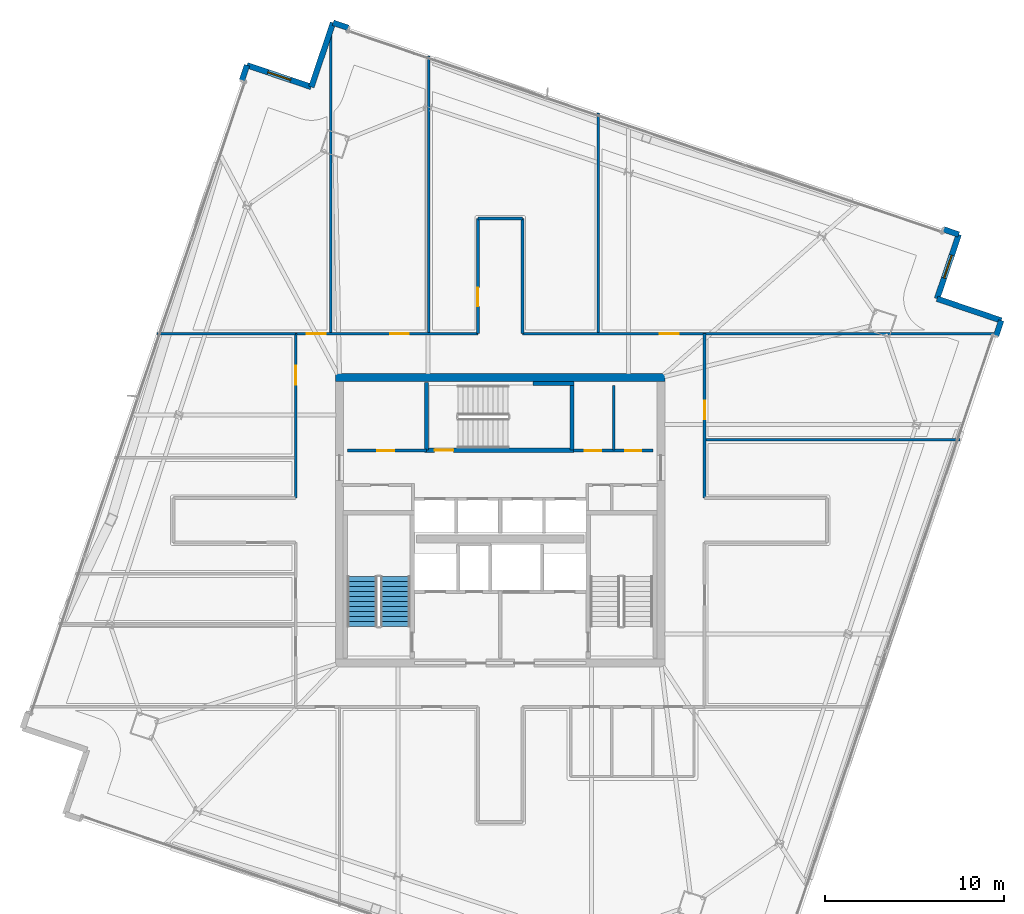
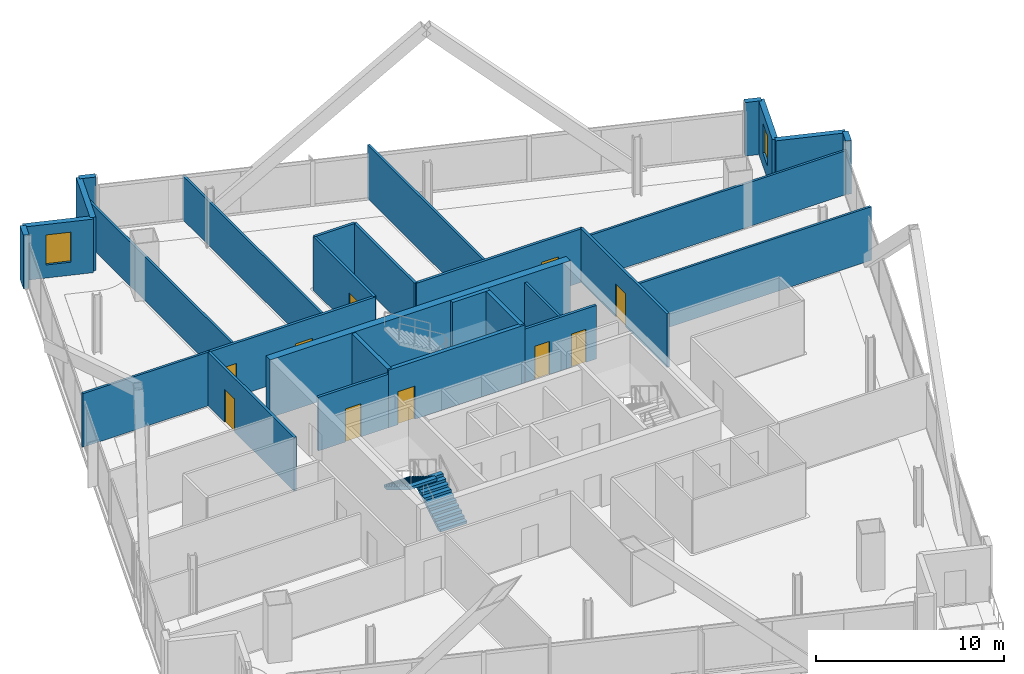
# One storey, part 23 of 29: 29 walls, 10 doors, 2 stair flights, 2 windows, 12 openings, 1 element without a shape of its own.
"""IFC4 building model written with IfcOpenShell, lengths in metres."""

import ifcopenshell
import ifcopenshell.guid

model = None  # the IFC model being written
_history = None  # IfcOwnerHistory: only IFC2X3 demands one
_inside = {}  # id of a spatial element -> (the spatial element, [elements in it])
_under = {}  # id of a project, library or spatial element -> (it, [spatial elements below it])
_declared = {}  # id of a project -> (the project, [libraries it declares])
_typed = {}  # id of a type object -> (the type object, [elements of that type])
_made_of = {}  # id of a material, layer set ... -> (it, [elements and type objects made of it])


def new_model(schema):
    """Start an empty IFC model of exactly this schema.

    Asked for "IFC4X3", IfcOpenShell would pick the latest addendum, in which some entities
    have other attributes; the version numbers below select the first issue.
    IFC2X3 requires an IfcOwnerHistory on every rooted entity: one is made here for all.
    """
    global model, _history
    if schema == "IFC4X3":
        model = ifcopenshell.file(schema_version=(4, 3, 0, 0))
    else:
        model = ifcopenshell.file(schema=schema)
    _inside.clear()
    _under.clear()
    _declared.clear()
    _typed.clear()
    _made_of.clear()
    _history = None
    if model.schema == "IFC2X3":
        org = make("IfcOrganization", Name="unknown")
        user = make(
            "IfcPersonAndOrganization",
            ThePerson=make("IfcPerson", FamilyName="unknown"),
            TheOrganization=org,
        )
        app = make(
            "IfcApplication",
            ApplicationDeveloper=org,
            Version="unknown",
            ApplicationFullName="unknown",
            ApplicationIdentifier="unknown",
        )
        _history = make(
            "IfcOwnerHistory",
            OwningUser=user,
            OwningApplication=app,
            ChangeAction="ADDED",
            CreationDate=0,
        )
    return model


def make(cls, **values):
    """One entity of the class cls with the attributes given. An attribute that is None is left unset."""
    return model.create_entity(
        cls, **{name: value for name, value in values.items() if value is not None}
    )


def rooted(cls, **values):
    """An entity with a GlobalId (a new one), such as an element, a storey or a relation."""
    return make(cls, GlobalId=ifcopenshell.guid.new(), OwnerHistory=_history, **values)


def si_unit(unit_type, name, prefix=None):
    """IfcSIUnit, for example si_unit("LENGTHUNIT", "METRE", prefix="MILLI")."""
    return make("IfcSIUnit", UnitType=unit_type, Prefix=prefix, Name=name)


def assignment(units):
    """IfcUnitAssignment: the units of a project."""
    return None if units is None else make("IfcUnitAssignment", Units=units)


def point(xyz):
    """IfcCartesianPoint."""
    return None if xyz is None else make("IfcCartesianPoint", Coordinates=xyz)


def direction(xyz):
    """IfcDirection."""
    return None if xyz is None else make("IfcDirection", DirectionRatios=xyz)


def frame(location, z_axis=None, x_axis=None):
    """IfcAxis2Placement3D, a coordinate frame: its origin and axes. An axis left out is left unset."""
    return make(
        "IfcAxis2Placement3D",
        Location=point(location),
        Axis=direction(z_axis),
        RefDirection=direction(x_axis),
    )


def frame_2d(location, x_axis=None):
    """IfcAxis2Placement2D, a coordinate frame in the plane: its origin and x axis."""
    return make(
        "IfcAxis2Placement2D", Location=point(location), RefDirection=direction(x_axis)
    )


def origin():
    """The frame at (0, 0, 0) with its axes left unset."""
    return frame((0.0, 0.0, 0.0))


def place(relative_to, where):
    """IfcLocalPlacement: puts the frame where relative to a parent placement (None: the world)."""
    return make(
        "IfcLocalPlacement", PlacementRelTo=relative_to, RelativePlacement=where
    )


def context(
    kind, dimensions, precision=None, world=None, true_north=None, identifier=None
):
    """IfcGeometricRepresentationContext, for example the 3D "Model" context."""
    return make(
        "IfcGeometricRepresentationContext",
        ContextIdentifier=identifier,
        ContextType=kind,
        CoordinateSpaceDimension=dimensions,
        Precision=precision,
        WorldCoordinateSystem=world,
        TrueNorth=true_north,
    )


def subcontext(parent, identifier, kind, view, scale=None):
    """IfcGeometricRepresentationSubContext, for example "Body" below "Model"."""
    return make(
        "IfcGeometricRepresentationSubContext",
        ContextIdentifier=identifier,
        ContextType=kind,
        ParentContext=parent,
        TargetScale=scale,
        TargetView=view,
    )


def project(units=None, contexts=None):
    """IfcProject with its units and contexts."""
    return rooted(
        "IfcProject",
        Name="project",
        RepresentationContexts=contexts,
        UnitsInContext=assignment(units),
    )


def spatial(cls, under=None, at=None, **own):
    """A site, building, storey or space (cls), placed at a placement, below another one or the project."""
    s = rooted(cls, ObjectPlacement=at, **own)
    if under is not None:
        _under.setdefault(under.id(), (under, []))[1].append(s)
    return s


def polyline(points):
    """IfcPolyline through the points."""
    return make("IfcPolyline", Points=[point(p) for p in points])


def profile(cls, at=None, kind="AREA", **sizes):
    """A parametric profile (cls). Its sizes go by their IFC names, for example OverallWidth=200.0."""
    return make(cls, ProfileType=kind, Position=at, **sizes)


def rectangle(**sizes):
    """IfcRectangleProfileDef."""
    return profile("IfcRectangleProfileDef", **sizes)


def outline(outer, holes=None, kind="AREA"):
    """IfcArbitraryClosedProfileDef: a profile drawn as a closed curve; with holes, ...WithVoids."""
    if holes is None:
        return make("IfcArbitraryClosedProfileDef", ProfileType=kind, OuterCurve=outer)
    return make(
        "IfcArbitraryProfileDefWithVoids",
        ProfileType=kind,
        OuterCurve=outer,
        InnerCurves=holes,
    )


def extrude(swept, where, along, depth):
    """IfcExtrudedAreaSolid: the profile swept, set in the frame where, extruded along a direction by depth."""
    return make(
        "IfcExtrudedAreaSolid",
        SweptArea=swept,
        Position=where,
        ExtrudedDirection=direction(along),
        Depth=depth,
    )


def shape(context_of_items, identifier, shape_type, items):
    """IfcShapeRepresentation: the items that make up one representation, for example the "Body"."""
    return make(
        "IfcShapeRepresentation",
        ContextOfItems=context_of_items,
        RepresentationIdentifier=identifier,
        RepresentationType=shape_type,
        Items=items,
    )


def material(Name=None, Category=None):
    """IfcMaterial."""
    return make("IfcMaterial", Name=Name, Category=Category)


def layer(
    of_material, thickness, ventilated=None, Name=None, Category=None, Priority=None
):
    """IfcMaterialLayer: one layer of a wall or slab, of a material (None: an air gap)."""
    return make(
        "IfcMaterialLayer",
        Material=of_material,
        LayerThickness=thickness,
        IsVentilated=ventilated,
        Name=Name,
        Category=Category,
        Priority=Priority,
    )


def layer_set(layers, Name=None):
    """IfcMaterialLayerSet."""
    return make("IfcMaterialLayerSet", MaterialLayers=layers, LayerSetName=Name)


def made_of(thing, what):
    """Note that an element or type object is made of a material, layer set ...; save() writes the relation."""
    if what is not None:
        _made_of.setdefault(what.id(), (what, []))[1].append(thing)
    return thing


def type_object(cls, material=None, **own):
    """A type object (cls), such as IfcWallType, which elements share."""
    return made_of(rooted(cls, **own), material)


def element(
    cls,
    number,
    at=None,
    inside=None,
    cuts=None,
    type_object=None,
    material=None,
    context=None,
    identifier="Body",
    shape_type=None,
    held_by="IfcProductDefinitionShape",
    body=None,
    shapes=None,
    **own,
):
    """One element of the class cls, such as IfcWall. Its Tag is "e" and its number.

    at: its placement. inside: the storey or other place that contains it. cuts: it is an
    opening in that element (IfcRelVoidsElement). A single representation is given by context,
    identifier, shape_type and body (its items); several are given by shapes. held_by: the class
    of the entity that holds the representations. save() writes the other relations.
    """
    e = rooted(cls, Tag="e%d" % number, ObjectPlacement=at, **own)
    if body is not None:
        shapes = [shape(context, identifier, shape_type, body)]
    if shapes is not None:
        e.Representation = make(held_by, Representations=shapes)
    if inside is not None:
        _inside.setdefault(inside.id(), (inside, []))[1].append(e)
    if cuts is not None:
        rooted(
            "IfcRelVoidsElement", RelatingBuildingElement=cuts, RelatedOpeningElement=e
        )
    if type_object is not None:
        _typed.setdefault(type_object.id(), (type_object, []))[1].append(e)
    return made_of(e, material)


def fill(opening, filler):
    """IfcRelFillsElement: the door or window that sits in an opening."""
    return rooted(
        "IfcRelFillsElement",
        RelatingOpeningElement=opening,
        RelatedBuildingElement=filler,
    )


def aggregate(whole, parts):
    """IfcRelAggregates: a whole, such as a stair, and the parts it consists of."""
    return rooted("IfcRelAggregates", RelatingObject=whole, RelatedObjects=parts)


def save(model, path):
    """Write the relations noted so far, then the file.

    IfcRelAggregates (storeys below a building ...), IfcRelContainedInSpatialStructure (elements
    in a storey), IfcRelDefinesByType, IfcRelAssociatesMaterial and IfcRelDeclares: one each for
    every whole, place, type object, material and project.
    """
    for whole, parts in _under.values():
        aggregate(whole, parts)
    for where, things in _inside.values():
        rooted(
            "IfcRelContainedInSpatialStructure",
            RelatedElements=things,
            RelatingStructure=where,
        )
    for kind, things in _typed.values():
        rooted("IfcRelDefinesByType", RelatedObjects=things, RelatingType=kind)
    for what, things in _made_of.values():
        rooted("IfcRelAssociatesMaterial", RelatedObjects=things, RelatingMaterial=what)
    for by, libraries in _declared.values():
        rooted("IfcRelDeclares", RelatingContext=by, RelatedDefinitions=libraries)
    model.write(path)


model = new_model("IFC4")

# Units and contexts
model_context = context("Model", 3, precision=1e-05, world=origin(), true_north=direction((0.0, 1.0)))
body_context = subcontext(model_context, "Body", "Model", "MODEL_VIEW")
ifc_project = project(units=[si_unit("LENGTHUNIT", "METRE"), si_unit("AREAUNIT", "SQUARE_METRE"), si_unit("VOLUMEUNIT", "CUBIC_METRE"), si_unit("PLANEANGLEUNIT", "RADIAN"), si_unit("MASSUNIT", "GRAM", prefix="KILO")], contexts=[model_context])

# Site, building, storey
site_placement = place(None, origin())
site = spatial("IfcSite", under=ifc_project, at=site_placement, CompositionType="ELEMENT")
building_placement = place(site_placement, origin())
building = spatial("IfcBuilding", under=site, at=building_placement, Name="Haldenkirk Collegiate Tower", CompositionType="ELEMENT")
storey_placement = place(building_placement, frame((0.0, 0.0, 267.449951171875)))
storey = spatial("IfcBuildingStorey", under=building, at=storey_placement, Name="L67", CompositionType="ELEMENT", Elevation=267.449951171875)

# Walls
ifc_material_1 = material(Name="Concrete f'c 55 MPa", Category="concrete")
ifc_layer_1 = layer(ifc_material_1, 0.449951171875)
ifc_layer_set_1 = layer_set([ifc_layer_1], Name="Concrete f'c 55 MPa")
wall_type_1 = type_object("IfcWallType", Name="WL-CORE-450", PredefinedType="SHEAR", material=ifc_layer_set_1)
wall_1_placement = place(storey_placement, frame((26.77490234375, 34.0, 0.0), z_axis=(0.0, 0.0, 1.0), x_axis=(1.0, 0.0, 0.0)))
element("IfcWall", 1, at=wall_1_placement, inside=storey, type_object=wall_type_1, Name="L67 central core shear wall N", PredefinedType="SHEAR", context=body_context, shape_type="SweptSolid", body=[
    extrude(rectangle(XDim=18.4501953125, YDim=0.449951171875, at=frame_2d((9.22509765625, 0.0))), origin(), (0.0, 0.0, 1.0), 3.75),
])
ifc_material_2 = material(Name="Precast concrete f'c 40 MPa", Category="concrete")
ifc_layer_2 = layer(ifc_material_2, 0.320068359375)
ifc_layer_set_2 = layer_set([ifc_layer_2], Name="Precast concrete f'c 40 MPa")
wall_type_2 = type_object("IfcWallType", Name="WL-EXT-TWR-320", PredefinedType="STANDARD", material=ifc_layer_set_2)
wall_2_placement = place(storey_placement, frame((64.06982421875, 37.191162109375, 0.0), z_axis=(0.0, 0.0, 1.0), x_axis=(-0.320618639267, -0.947208365754, 0.0)))
element("IfcWall", 2, at=wall_2_placement, inside=storey, type_object=wall_type_2, Name="L67 precast corner pier SL", PredefinedType="STANDARD", context=body_context, shape_type="SweptSolid", body=[
    extrude(rectangle(XDim=0.900146484375, YDim=0.320068359375, at=frame_2d((0.4501953125, 0.0))), origin(), (0.0, 0.0, 1.0), 3.47998046875),
])
wall_3_placement = place(storey_placement, frame((60.470458984375, 38.40966796875, 0.0), z_axis=(0.0, 0.0, 1.0), x_axis=(0.947195256803, -0.320657364628, 0.0)))
element("IfcWall", 3, at=wall_3_placement, inside=storey, type_object=wall_type_2, Name="L67 bronze precast notch wall 02", PredefinedType="STANDARD", context=body_context, shape_type="SweptSolid", body=[
    extrude(rectangle(XDim=3.800048828125, YDim=0.320068359375, at=frame_2d((1.89990234375, 0.0))), origin(), (0.0, 0.0, 1.0), 3.47998046875),
])

# Wall, opening, window
wall_4_placement = place(storey_placement, frame((61.688720703125, 42.009033203125, 0.0), z_axis=(0.0, 0.0, 1.0), x_axis=(-0.320599721691, -0.947214768916, 0.0)))
wall_4 = element("IfcWall", 4, at=wall_4_placement, inside=storey, type_object=wall_type_2, Name="L67 bronze precast notch wall 03", PredefinedType="STANDARD", context=body_context, shape_type="SweptSolid", body=[
    extrude(rectangle(XDim=3.800048828125, YDim=0.320068359375, at=frame_2d((1.89990234375, 0.0))), origin(), (0.0, 0.0, 1.0), 3.47998046875),
])
opening_1_placement = place(wall_4_placement, frame((1.22509765625, 0.0, 0.85009765625)))
opening_1 = element("IfcOpeningElement", 5, at=opening_1_placement, cuts=wall_4, Name="Opening W-07", PredefinedType="OPENING", context=body_context, shape_type="SweptSolid", body=[
    extrude(rectangle(XDim=1.35009765625, YDim=1.949951171875, at=frame_2d((0.675048828125, 0.97509765625))), frame((0.0, 0.169921875, 0.0), z_axis=(0.0, -1.0, 0.0), x_axis=(1.0, 0.0, 0.0)), (0.0, 0.0, 1.0), 0.340087890625),
])
ifc_material_3 = material(Name="Low-E argon triple insulating glass", Category="glass")
ifc_layer_3 = layer(ifc_material_3, 0.090087890625)
ifc_layer_set_3 = layer_set([ifc_layer_3], Name="Low-E argon triple insulating glass")
window_type = type_object("IfcWindowType", Name="WN-Z5-1350X1950", PartitioningType="SINGLE_PANEL", PredefinedType="WINDOW", material=ifc_layer_set_3)
window_1_placement = place(opening_1_placement, origin())
window_1 = element("IfcWindow", 6, at=window_1_placement, inside=storey, type_object=window_type, Name="L67 precast-frame academic window 2", OverallHeight=1.949951171875, OverallWidth=1.35009765625, PartitioningType="SINGLE_PANEL", PredefinedType="WINDOW", context=body_context, shape_type="SweptSolid", body=[
    extrude(rectangle(XDim=1.35009765625, YDim=1.949951171875, at=frame_2d((0.675048828125, 0.97509765625))), frame((0.0, 0.030029296875, 0.0), z_axis=(0.0, -1.0, 0.0), x_axis=(1.0, 0.0, 0.0)), (0.0, 0.0, 1.0), 0.06005859375),
])
fill(opening_1, window_1)

# Walls
wall_5_placement = place(storey_placement, frame((26.64208984375, 53.87158203125, 0.0), z_axis=(0.0, 0.0, 1.0), x_axis=(0.947180471406, -0.32070103615, 0.0)))
element("IfcWall", 7, at=wall_5_placement, inside=storey, type_object=wall_type_2, Name="L67 precast corner pier EL", PredefinedType="STANDARD", context=body_context, shape_type="SweptSolid", body=[
    extrude(rectangle(XDim=0.89990234375, YDim=0.320068359375, at=frame_2d((0.449951171875, 0.0))), origin(), (0.0, 0.0, 1.0), 3.47998046875),
])
wall_6_placement = place(storey_placement, frame((60.836181640625, 42.297607421875, 0.0), z_axis=(0.0, 0.0, 1.0), x_axis=(0.947208365754, -0.320618639267, 0.0)))
element("IfcWall", 8, at=wall_6_placement, inside=storey, type_object=wall_type_2, Name="L67 precast corner pier ER", PredefinedType="STANDARD", context=body_context, shape_type="SweptSolid", body=[
    extrude(rectangle(XDim=0.900146484375, YDim=0.320068359375, at=frame_2d((0.4501953125, 0.0))), origin(), (0.0, 0.0, 1.0), 3.47998046875),
])
wall_7_placement = place(storey_placement, frame((25.423583984375, 50.272216796875, 0.0), z_axis=(0.0, 0.0, 1.0), x_axis=(0.320657364628, 0.947195256803, 0.0)))
element("IfcWall", 9, at=wall_7_placement, inside=storey, type_object=wall_type_2, Name="L67 bronze precast notch wall 05", PredefinedType="STANDARD", context=body_context, shape_type="SweptSolid", body=[
    extrude(rectangle(XDim=3.800048828125, YDim=0.320068359375, at=frame_2d((1.89990234375, 0.0))), origin(), (0.0, 0.0, 1.0), 3.47998046875),
])

# Wall, opening, window
wall_8_placement = place(storey_placement, frame((21.82421875, 51.490478515625, 0.0), z_axis=(0.0, 0.0, 1.0), x_axis=(0.947214768916, -0.320599721691, 0.0)))
wall_8 = element("IfcWall", 10, at=wall_8_placement, inside=storey, type_object=wall_type_2, Name="L67 bronze precast notch wall 06", PredefinedType="STANDARD", context=body_context, shape_type="SweptSolid", body=[
    extrude(rectangle(XDim=3.800048828125, YDim=0.320068359375, at=frame_2d((1.89990234375, 0.0))), origin(), (0.0, 0.0, 1.0), 3.47998046875),
])
opening_2_placement = place(wall_8_placement, frame((1.22509765625, 0.0, 0.85009765625)))
opening_2 = element("IfcOpeningElement", 11, at=opening_2_placement, cuts=wall_8, Name="Opening W-07", PredefinedType="OPENING", context=body_context, shape_type="SweptSolid", body=[
    extrude(rectangle(XDim=1.35009765625, YDim=1.949951171875, at=frame_2d((0.675048828125, 0.97509765625))), frame((0.0, 0.169921875, 0.0), z_axis=(0.0, -1.0, 0.0), x_axis=(1.0, 0.0, 0.0)), (0.0, 0.0, 1.0), 0.340087890625),
])
window_2_placement = place(opening_2_placement, origin())
window_2 = element("IfcWindow", 12, at=window_2_placement, inside=storey, type_object=window_type, Name="L67 precast-frame academic window 5", OverallHeight=1.949951171875, OverallWidth=1.35009765625, PartitioningType="SINGLE_PANEL", PredefinedType="WINDOW", context=body_context, shape_type="SweptSolid", body=[
    extrude(rectangle(XDim=1.35009765625, YDim=1.949951171875, at=frame_2d((0.675048828125, 0.97509765625))), frame((0.0, 0.030029296875, 0.0), z_axis=(0.0, -1.0, 0.0), x_axis=(1.0, 0.0, 0.0)), (0.0, 0.0, 1.0), 0.06005859375),
])
fill(opening_2, window_2)

# Wall
wall_9_placement = place(storey_placement, frame((21.53564453125, 50.63818359375, 0.0), z_axis=(0.0, 0.0, 1.0), x_axis=(0.32070103615, 0.947180471406, 0.0)))
element("IfcWall", 13, at=wall_9_placement, inside=storey, type_object=wall_type_2, Name="L67 precast corner pier NR", PredefinedType="STANDARD", context=body_context, shape_type="SweptSolid", body=[
    extrude(rectangle(XDim=0.89990234375, YDim=0.320068359375, at=frame_2d((0.449951171875, 0.0))), origin(), (0.0, 0.0, 1.0), 3.47998046875),
])

# Wall, opening, door
ifc_material_4 = material(Name="Acoustic fire-rated gypsum partition", Category="concrete")
ifc_layer_4 = layer(ifc_material_4, 0.159912109375)
ifc_layer_set_4 = layer_set([ifc_layer_4], Name="Acoustic fire-rated gypsum partition")
wall_type_3 = type_object("IfcWallType", Name="WL-INT-CORR-160", PredefinedType="PARTITIONING", material=ifc_layer_set_4)
wall_10_placement = place(storey_placement, frame((27.449951171875, 29.89990234375, 0.0), z_axis=(0.0, 0.0, 1.0), x_axis=(1.0, 0.0, 0.0)))
wall_10 = element("IfcWall", 14, at=wall_10_placement, inside=storey, type_object=wall_type_3, Name="L67 interior partition IW-L67-PLS", PredefinedType="PARTITIONING", context=body_context, shape_type="SweptSolid", body=[
    extrude(rectangle(XDim=4.429931640625, YDim=0.159912109375, at=frame_2d((2.21484375, 0.0))), origin(), (0.0, 0.0, 1.0), 3.47998046875),
])
opening_3_placement = place(wall_10_placement, frame((1.675048828125, 0.0, 0.0)))
opening_3 = element("IfcOpeningElement", 15, at=opening_3_placement, cuts=wall_10, Name="Opening D-10", PredefinedType="OPENING", context=body_context, shape_type="SweptSolid", body=[
    extrude(rectangle(XDim=0.949951171875, YDim=2.14990234375, at=frame_2d((0.47509765625, 1.074951171875))), frame((0.0, 0.08984375, 0.0), z_axis=(0.0, -1.0, 0.0), x_axis=(1.0, 0.0, 0.0)), (0.0, 0.0, 1.0), 0.179931640625),
])
ifc_material_5 = material(Name="Solid-core architectural oak fire door", Category="wood")
ifc_layer_5 = layer(ifc_material_5, 0.06005859375)
ifc_layer_set_5 = layer_set([ifc_layer_5], Name="Solid-core architectural oak fire door")
door_type_1 = type_object("IfcDoorType", Name="DR-INT-FD60-950", OperationType="NOTDEFINED", PredefinedType="DOOR", material=ifc_layer_set_5)
door_1_placement = place(opening_3_placement, origin())
door_1 = element("IfcDoor", 16, at=door_1_placement, inside=storey, type_object=door_type_1, Name="L67 archive door", OperationType="SINGLE_SWING_LEFT", OverallHeight=2.14990234375, OverallWidth=0.949951171875, PredefinedType="DOOR", context=body_context, shape_type="SweptSolid", body=[
    extrude(rectangle(XDim=0.949951171875, YDim=2.14990234375, at=frame_2d((0.47509765625, 1.074951171875))), frame((0.0, 0.02490234375, 0.0), z_axis=(0.0, -1.0, 0.0), x_axis=(1.0, 0.0, 0.0)), (0.0, 0.0, 1.0), 0.050048828125),
])
fill(opening_3, door_1)

# Wall, openings, doors
wall_11_placement = place(storey_placement, frame((40.1201171875, 29.89990234375, 0.0), z_axis=(0.0, 0.0, 1.0), x_axis=(1.0, 0.0, 0.0)))
wall_11 = element("IfcWall", 17, at=wall_11_placement, inside=storey, type_object=wall_type_3, Name="L67 interior partition IW-L67-PMS", PredefinedType="PARTITIONING", context=body_context, shape_type="SweptSolid", body=[
    extrude(rectangle(XDim=4.429931640625, YDim=0.159912109375, at=frame_2d((2.21484375, 0.0))), origin(), (0.0, 0.0, 1.0), 3.47998046875),
])
opening_4_placement = place(wall_11_placement, frame((0.6298828125, 0.0, 0.0)))
opening_4 = element("IfcOpeningElement", 18, at=opening_4_placement, cuts=wall_11, Name="Opening D-11", PredefinedType="OPENING", context=body_context, shape_type="SweptSolid", body=[
    extrude(rectangle(XDim=0.89990234375, YDim=2.14990234375, at=frame_2d((0.449951171875, 1.074951171875))), frame((0.0, 0.08984375, 0.0), z_axis=(0.0, -1.0, 0.0), x_axis=(1.0, 0.0, 0.0)), (0.0, 0.0, 1.0), 0.179931640625),
])
opening_5_placement = place(wall_11_placement, frame((2.8798828125, 0.0, 0.0)))
opening_5 = element("IfcOpeningElement", 19, at=opening_5_placement, cuts=wall_11, Name="Opening D-11", PredefinedType="OPENING", context=body_context, shape_type="SweptSolid", body=[
    extrude(rectangle(XDim=0.89990234375, YDim=2.14990234375, at=frame_2d((0.449951171875, 1.074951171875))), frame((0.0, 0.08984375, 0.0), z_axis=(0.0, -1.0, 0.0), x_axis=(1.0, 0.0, 0.0)), (0.0, 0.0, 1.0), 0.179931640625),
])
ifc_layer_6 = layer(ifc_material_5, 0.06005859375)
ifc_layer_set_6 = layer_set([ifc_layer_6], Name="Solid-core architectural oak fire door")
door_type_2 = type_object("IfcDoorType", Name="DR-INT-FD60-900", OperationType="NOTDEFINED", PredefinedType="DOOR", material=ifc_layer_set_6)
door_2_placement = place(opening_4_placement, origin())
door_2 = element("IfcDoor", 20, at=door_2_placement, inside=storey, type_object=door_type_2, Name="L67 staff WC door", OperationType="SINGLE_SWING_RIGHT", OverallHeight=2.14990234375, OverallWidth=0.89990234375, PredefinedType="DOOR", context=body_context, shape_type="SweptSolid", body=[
    extrude(rectangle(XDim=0.89990234375, YDim=2.14990234375, at=frame_2d((0.449951171875, 1.074951171875))), frame((0.0, 0.02490234375, 0.0), z_axis=(0.0, -1.0, 0.0), x_axis=(1.0, 0.0, 0.0)), (0.0, 0.0, 1.0), 0.050048828125),
])
fill(opening_4, door_2)
door_3_placement = place(opening_5_placement, origin())
door_3 = element("IfcDoor", 21, at=door_3_placement, inside=storey, type_object=door_type_2, Name="L67 seminar alcove door", OperationType="SINGLE_SWING_LEFT", OverallHeight=2.14990234375, OverallWidth=0.89990234375, PredefinedType="DOOR", context=body_context, shape_type="SweptSolid", body=[
    extrude(rectangle(XDim=0.89990234375, YDim=2.14990234375, at=frame_2d((0.449951171875, 1.074951171875))), frame((0.0, 0.02490234375, 0.0), z_axis=(0.0, -1.0, 0.0), x_axis=(1.0, 0.0, 0.0)), (0.0, 0.0, 1.0), 0.050048828125),
])
fill(opening_5, door_3)

wall_12_placement = place(storey_placement, frame((24.5, 36.449951171875, 0.0), z_axis=(0.0, 0.0, 1.0), x_axis=(1.0, 0.0, 0.0)))
wall_12 = element("IfcWall", 22, at=wall_12_placement, inside=storey, type_object=wall_type_3, Name="L67 interior partition IW-L67-CN1", PredefinedType="PARTITIONING", context=body_context, shape_type="SweptSolid", body=[
    extrude(rectangle(XDim=10.25, YDim=0.159912109375, at=frame_2d((5.125, 0.0))), origin(), (0.0, 0.0, 1.0), 3.47998046875),
])
opening_6_placement = place(wall_12_placement, frame((0.669921875, 0.0, 0.0)))
opening_6 = element("IfcOpeningElement", 23, at=opening_6_placement, cuts=wall_12, Name="Opening D-09", PredefinedType="OPENING", context=body_context, shape_type="SweptSolid", body=[
    extrude(rectangle(XDim=1.050048828125, YDim=2.14990234375, at=frame_2d((0.52490234375, 1.074951171875))), frame((0.0, 0.08984375, 0.0), z_axis=(0.0, -1.0, 0.0), x_axis=(1.0, 0.0, 0.0)), (0.0, 0.0, 1.0), 0.179931640625),
])
opening_7_placement = place(wall_12_placement, frame((5.3349609375, 0.0, 0.0)))
opening_7 = element("IfcOpeningElement", 24, at=opening_7_placement, cuts=wall_12, Name="Opening D-09", PredefinedType="OPENING", context=body_context, shape_type="SweptSolid", body=[
    extrude(rectangle(XDim=1.050048828125, YDim=2.14990234375, at=frame_2d((0.52490234375, 1.074951171875))), frame((0.0, 0.08984375, 0.0), z_axis=(0.0, -1.0, 0.0), x_axis=(1.0, 0.0, 0.0)), (0.0, 0.0, 1.0), 0.179931640625),
])
ifc_layer_7 = layer(ifc_material_5, 0.06005859375)
ifc_layer_set_7 = layer_set([ifc_layer_7], Name="Solid-core architectural oak fire door")
door_type_3 = type_object("IfcDoorType", Name="DR-INT-FD60-1050", OperationType="NOTDEFINED", PredefinedType="DOOR", material=ifc_layer_set_7)
door_4_placement = place(opening_6_placement, origin())
door_4 = element("IfcDoor", 25, at=door_4_placement, inside=storey, type_object=door_type_3, Name="L67 Instrument Store Room 3 door", OperationType="SINGLE_SWING_LEFT", OverallHeight=2.14990234375, OverallWidth=1.050048828125, PredefinedType="DOOR", context=body_context, shape_type="SweptSolid", body=[
    extrude(rectangle(XDim=1.050048828125, YDim=2.14990234375, at=frame_2d((0.52490234375, 1.074951171875))), frame((0.0, 0.02490234375, 0.0), z_axis=(0.0, -1.0, 0.0), x_axis=(1.0, 0.0, 0.0)), (0.0, 0.0, 1.0), 0.050048828125),
])
fill(opening_6, door_4)
door_5_placement = place(opening_7_placement, origin())
door_5 = element("IfcDoor", 26, at=door_5_placement, inside=storey, type_object=door_type_3, Name="L67 Material Specimen Store 4 door", OperationType="SINGLE_SWING_RIGHT", OverallHeight=2.14990234375, OverallWidth=1.050048828125, PredefinedType="DOOR", context=body_context, shape_type="SweptSolid", body=[
    extrude(rectangle(XDim=1.050048828125, YDim=2.14990234375, at=frame_2d((0.52490234375, 1.074951171875))), frame((0.0, 0.02490234375, 0.0), z_axis=(0.0, -1.0, 0.0), x_axis=(1.0, 0.0, 0.0)), (0.0, 0.0, 1.0), 0.050048828125),
])
fill(opening_7, door_5)

# Wall, opening, door
wall_13_placement = place(storey_placement, frame((37.25, 36.449951171875, 0.0), z_axis=(0.0, 0.0, 1.0), x_axis=(1.0, 0.0, 0.0)))
wall_13 = element("IfcWall", 27, at=wall_13_placement, inside=storey, type_object=wall_type_3, Name="L67 interior partition IW-L67-CN2", PredefinedType="PARTITIONING", context=body_context, shape_type="SweptSolid", body=[
    extrude(rectangle(XDim=10.25, YDim=0.159912109375, at=frame_2d((5.125, 0.0))), origin(), (0.0, 0.0, 1.0), 3.47998046875),
])
opening_8_placement = place(wall_13_placement, frame((7.698974609375, 0.0, 0.0)))
opening_8 = element("IfcOpeningElement", 28, at=opening_8_placement, cuts=wall_13, Name="Opening D-09", PredefinedType="OPENING", context=body_context, shape_type="SweptSolid", body=[
    extrude(rectangle(XDim=1.050048828125, YDim=2.14990234375, at=frame_2d((0.52490234375, 1.074951171875))), frame((0.0, 0.08984375, 0.0), z_axis=(0.0, -1.0, 0.0), x_axis=(1.0, 0.0, 0.0)), (0.0, 0.0, 1.0), 0.179931640625),
])
door_6_placement = place(opening_8_placement, origin())
door_6 = element("IfcDoor", 29, at=door_6_placement, inside=storey, type_object=door_type_3, Name="L67 Cleanroom Prep Store 6 door", OperationType="SINGLE_SWING_RIGHT", OverallHeight=2.14990234375, OverallWidth=1.050048828125, PredefinedType="DOOR", context=body_context, shape_type="SweptSolid", body=[
    extrude(rectangle(XDim=1.050048828125, YDim=2.14990234375, at=frame_2d((0.52490234375, 1.074951171875))), frame((0.0, 0.02490234375, 0.0), z_axis=(0.0, -1.0, 0.0), x_axis=(1.0, 0.0, 0.0)), (0.0, 0.0, 1.0), 0.050048828125),
])
fill(opening_8, door_6)

wall_14_placement = place(storey_placement, frame((24.550048828125, 27.25, 0.0), z_axis=(0.0, 0.0, 1.0), x_axis=(0.0, 1.0, 0.0)))
wall_14 = element("IfcWall", 30, at=wall_14_placement, inside=storey, type_object=wall_type_3, Name="L67 interior partition IW-L67-CW2", PredefinedType="PARTITIONING", context=body_context, shape_type="SweptSolid", body=[
    extrude(rectangle(XDim=9.199951171875, YDim=0.159912109375, at=frame_2d((4.60009765625, 0.0))), origin(), (0.0, 0.0, 1.0), 3.47998046875),
])
opening_9_placement = place(wall_14_placement, frame((6.344970703125, 0.0, 0.0)))
opening_9 = element("IfcOpeningElement", 31, at=opening_9_placement, cuts=wall_14, Name="Opening D-09", PredefinedType="OPENING", context=body_context, shape_type="SweptSolid", body=[
    extrude(rectangle(XDim=1.050048828125, YDim=2.14990234375, at=frame_2d((0.52490234375, 1.074951171875))), frame((0.0, 0.08984375, 0.0), z_axis=(0.0, -1.0, 0.0), x_axis=(1.0, 0.0, 0.0)), (0.0, 0.0, 1.0), 0.179931640625),
])
door_7_placement = place(opening_9_placement, origin())
door_7 = element("IfcDoor", 32, at=door_7_placement, inside=storey, type_object=door_type_3, Name="L67 Material Specimen Store 10 door", OperationType="SINGLE_SWING_RIGHT", OverallHeight=2.14990234375, OverallWidth=1.050048828125, PredefinedType="DOOR", context=body_context, shape_type="SweptSolid", body=[
    extrude(rectangle(XDim=1.050048828125, YDim=2.14990234375, at=frame_2d((0.52490234375, 1.074951171875))), frame((0.0, 0.02490234375, 0.0), z_axis=(0.0, -1.0, 0.0), x_axis=(1.0, 0.0, 0.0)), (0.0, 0.0, 1.0), 0.050048828125),
])
fill(opening_9, door_7)

wall_15_placement = place(storey_placement, frame((47.449951171875, 27.25, 0.0), z_axis=(0.0, 0.0, 1.0), x_axis=(0.0, 1.0, 0.0)))
wall_15 = element("IfcWall", 33, at=wall_15_placement, inside=storey, type_object=wall_type_3, Name="L67 interior partition IW-L67-CE2", PredefinedType="PARTITIONING", context=body_context, shape_type="SweptSolid", body=[
    extrude(rectangle(XDim=9.199951171875, YDim=0.159912109375, at=frame_2d((4.60009765625, 0.0))), origin(), (0.0, 0.0, 1.0), 3.47998046875),
])
opening_10_placement = place(wall_15_placement, frame((4.403076171875, 0.0, 0.0)))
opening_10 = element("IfcOpeningElement", 34, at=opening_10_placement, cuts=wall_15, Name="Opening D-09", PredefinedType="OPENING", context=body_context, shape_type="SweptSolid", body=[
    extrude(rectangle(XDim=1.050048828125, YDim=2.14990234375, at=frame_2d((0.52490234375, 1.074951171875))), frame((0.0, 0.08984375, 0.0), z_axis=(0.0, -1.0, 0.0), x_axis=(1.0, 0.0, 0.0)), (0.0, 0.0, 1.0), 0.179931640625),
])
door_8_placement = place(opening_10_placement, origin())
door_8 = element("IfcDoor", 35, at=door_8_placement, inside=storey, type_object=door_type_3, Name="L67 Cleanroom Prep Store 12 door", OperationType="SINGLE_SWING_RIGHT", OverallHeight=2.14990234375, OverallWidth=1.050048828125, PredefinedType="DOOR", context=body_context, shape_type="SweptSolid", body=[
    extrude(rectangle(XDim=1.050048828125, YDim=2.14990234375, at=frame_2d((0.52490234375, 1.074951171875))), frame((0.0, 0.02490234375, 0.0), z_axis=(0.0, -1.0, 0.0), x_axis=(1.0, 0.0, 0.0)), (0.0, 0.0, 1.0), 0.050048828125),
])
fill(opening_10, door_8)

wall_16_placement = place(storey_placement, frame((34.75, 36.449951171875, 0.0), z_axis=(0.0, 0.0, 1.0), x_axis=(0.0, 1.0, 0.0)))
wall_16 = element("IfcWall", 36, at=wall_16_placement, inside=storey, type_object=wall_type_3, Name="L67 interior partition IW-L67-NPW", PredefinedType="PARTITIONING", context=body_context, shape_type="SweptSolid", body=[
    extrude(rectangle(XDim=6.449951171875, YDim=0.159912109375, at=frame_2d((3.22509765625, 0.0))), origin(), (0.0, 0.0, 1.0), 3.47998046875),
])
opening_11_placement = place(wall_16_placement, frame((1.5390625, 0.0, 0.0)))
opening_11 = element("IfcOpeningElement", 37, at=opening_11_placement, cuts=wall_16, Name="Opening D-09", PredefinedType="OPENING", context=body_context, shape_type="SweptSolid", body=[
    extrude(rectangle(XDim=1.050048828125, YDim=2.14990234375, at=frame_2d((0.52490234375, 1.074951171875))), frame((0.0, 0.08984375, 0.0), z_axis=(0.0, -1.0, 0.0), x_axis=(1.0, 0.0, 0.0)), (0.0, 0.0, 1.0), 0.179931640625),
])
door_9_placement = place(opening_11_placement, origin())
door_9 = element("IfcDoor", 38, at=door_9_placement, inside=storey, type_object=door_type_3, Name="L67 Departmental Archive 5 door", OperationType="SINGLE_SWING_LEFT", OverallHeight=2.14990234375, OverallWidth=1.050048828125, PredefinedType="DOOR", context=body_context, shape_type="SweptSolid", body=[
    extrude(rectangle(XDim=1.050048828125, YDim=2.14990234375, at=frame_2d((0.52490234375, 1.074951171875))), frame((0.0, 0.02490234375, 0.0), z_axis=(0.0, -1.0, 0.0), x_axis=(1.0, 0.0, 0.0)), (0.0, 0.0, 1.0), 0.050048828125),
])
fill(opening_11, door_9)

# Walls
wall_17_placement = place(storey_placement, frame((37.25, 36.449951171875, 0.0), z_axis=(0.0, 0.0, 1.0), x_axis=(0.0, 1.0, 0.0)))
element("IfcWall", 39, at=wall_17_placement, inside=storey, type_object=wall_type_3, Name="L67 interior partition IW-L67-NPE", PredefinedType="PARTITIONING", context=body_context, shape_type="SweptSolid", body=[
    extrude(rectangle(XDim=6.449951171875, YDim=0.159912109375, at=frame_2d((3.22509765625, 0.0))), origin(), (0.0, 0.0, 1.0), 3.47998046875),
])
wall_18_placement = place(storey_placement, frame((34.75, 42.89990234375, 0.0), z_axis=(0.0, 0.0, 1.0), x_axis=(1.0, 0.0, 0.0)))
element("IfcWall", 40, at=wall_18_placement, inside=storey, type_object=wall_type_3, Name="L67 interior partition IW-L67-NPN", PredefinedType="PARTITIONING", context=body_context, shape_type="SweptSolid", body=[
    extrude(rectangle(XDim=2.5, YDim=0.159912109375, at=frame_2d((1.25, 0.0))), origin(), (0.0, 0.0, 1.0), 3.47998046875),
])
ifc_layer_8 = layer(ifc_material_4, 0.139892578125)
ifc_layer_set_8 = layer_set([ifc_layer_8], Name="Acoustic fire-rated gypsum partition")
wall_type_4 = type_object("IfcWallType", Name="WL-INT-DIV-140", PredefinedType="PARTITIONING", material=ifc_layer_set_8)
wall_19_placement = place(storey_placement, frame((42.35009765625, 29.949951171875, 0.0), z_axis=(0.0, 0.0, 1.0), x_axis=(0.0, 1.0, 0.0)))
element("IfcWall", 41, at=wall_19_placement, inside=storey, type_object=wall_type_4, Name="L67 interior partition IW-L67-PMDIV", PredefinedType="PARTITIONING", context=body_context, shape_type="SweptSolid", body=[
    extrude(rectangle(XDim=3.60009765625, YDim=0.139892578125, at=frame_2d((1.800048828125, 0.0))), origin(), (0.0, 0.0, 1.0), 3.47998046875),
])
wall_20_placement = place(storey_placement, frame((16.775390625, 36.449951171875, 0.0), z_axis=(0.0, 0.0, 1.0), x_axis=(1.0, 0.0, 0.0)))
element("IfcWall", 42, at=wall_20_placement, inside=storey, type_object=wall_type_4, Name="L67 interior partition IW-L67-BWN", PredefinedType="PARTITIONING", context=body_context, shape_type="SweptSolid", body=[
    extrude(rectangle(XDim=7.774658203125, YDim=0.139892578125, at=frame_2d((3.88720703125, 0.0))), origin(), (0.0, 0.0, 1.0), 3.47998046875),
])
wall_21_placement = place(storey_placement, frame((47.449951171875, 36.449951171875, 0.0), z_axis=(0.0, 0.0, 1.0), x_axis=(1.0, 0.0, 0.0)))
element("IfcWall", 43, at=wall_21_placement, inside=storey, type_object=wall_type_4, Name="L67 interior partition IW-L67-BEN", PredefinedType="PARTITIONING", context=body_context, shape_type="SweptSolid", body=[
    extrude(rectangle(XDim=16.326904296875, YDim=0.139892578125, at=frame_2d((8.16357421875, 0.0))), origin(), (0.0, 0.0, 1.0), 2.858154296875),
])
wall_22_placement = place(storey_placement, frame((26.5, 36.449951171875, 0.0), z_axis=(0.0, 0.0, 1.0), x_axis=(0.0, 1.0, 0.0)))
element("IfcWall", 44, at=wall_22_placement, inside=storey, type_object=wall_type_4, Name="L67 interior partition IW-L67-RN1", PredefinedType="PARTITIONING", context=body_context, shape_type="SweptSolid", body=[
    extrude(rectangle(XDim=16.87744140625, YDim=0.139892578125, at=frame_2d((8.438720703125, 0.0))), origin(), (0.0, 0.0, 1.0), 2.858154296875),
])
wall_23_placement = place(storey_placement, frame((32.0, 36.449951171875, 0.0), z_axis=(0.0, 0.0, 1.0), x_axis=(0.0, 1.0, 0.0)))
element("IfcWall", 45, at=wall_23_placement, inside=storey, type_object=wall_type_4, Name="L67 interior partition IW-L67-RN2", PredefinedType="PARTITIONING", context=body_context, shape_type="SweptSolid", body=[
    extrude(rectangle(XDim=15.56591796875, YDim=0.139892578125, at=frame_2d((7.782958984375, 0.0))), origin(), (0.0, 0.0, 1.0), 2.858154296875),
])
wall_24_placement = place(storey_placement, frame((41.5, 36.449951171875, 0.0), z_axis=(0.0, 0.0, 1.0), x_axis=(0.0, 1.0, 0.0)))
element("IfcWall", 46, at=wall_24_placement, inside=storey, type_object=wall_type_4, Name="L67 interior partition IW-L67-RN3", PredefinedType="PARTITIONING", context=body_context, shape_type="SweptSolid", body=[
    extrude(rectangle(XDim=12.350341796875, YDim=0.139892578125, at=frame_2d((6.17529296875, 0.0))), origin(), (0.0, 0.0, 1.0), 3.47998046875),
])
wall_25_placement = place(storey_placement, frame((47.449951171875, 30.5, 0.0), z_axis=(0.0, 0.0, 1.0), x_axis=(1.0, 0.0, 0.0)))
element("IfcWall", 47, at=wall_25_placement, inside=storey, type_object=wall_type_4, Name="L67 interior partition IW-L67-RE1", PredefinedType="PARTITIONING", context=body_context, shape_type="SweptSolid", body=[
    extrude(rectangle(XDim=14.312744140625, YDim=0.139892578125, at=frame_2d((7.15625, 0.0))), origin(), (0.0, 0.0, 1.0), 3.47998046875),
])

# Wall, opening, door
ifc_layer_9 = layer(ifc_material_1, 0.239990234375)
ifc_layer_set_9 = layer_set([ifc_layer_9], Name="Concrete f'c 55 MPa")
wall_type_5 = type_object("IfcWallType", Name="WL-SHAFT-240", PredefinedType="SHEAR", material=ifc_layer_set_9)
wall_26_placement = place(storey_placement, frame((31.760009765625, 29.929931640625, 0.0), z_axis=(0.0, 0.0, 1.0), x_axis=(1.0, 0.0, 0.0)))
wall_26 = element("IfcWall", 48, at=wall_26_placement, inside=storey, type_object=wall_type_5, Name="L67 stair shaft shear wall SW-L67-ST3S", PredefinedType="SHEAR", context=body_context, shape_type="SweptSolid", body=[
    extrude(rectangle(XDim=8.3798828125, YDim=0.239990234375, at=frame_2d((4.18994140625, 0.0))), origin(), (0.0, 0.0, 1.0), 3.75),
])
opening_12_placement = place(wall_26_placement, frame((0.56494140625, 0.0, 0.0)))
opening_12 = element("IfcOpeningElement", 49, at=opening_12_placement, cuts=wall_26, Name="Opening D-01", PredefinedType="OPENING", context=body_context, shape_type="SweptSolid", body=[
    extrude(rectangle(XDim=1.050048828125, YDim=2.14990234375, at=frame_2d((0.52490234375, 1.074951171875))), frame((0.0, 0.1298828125, 0.0), z_axis=(0.0, -1.0, 0.0), x_axis=(1.0, 0.0, 0.0)), (0.0, 0.0, 1.0), 0.260009765625),
])
ifc_material_6 = material(Name="Galvanized fire-rated hollow steel door", Category="steel")
ifc_layer_10 = layer(ifc_material_6, 0.06005859375)
ifc_layer_set_10 = layer_set([ifc_layer_10], Name="Galvanized fire-rated hollow steel door")
door_type_4 = type_object("IfcDoorType", Name="DR-STAIR-FD90-1050", OperationType="NOTDEFINED", PredefinedType="DOOR", material=ifc_layer_set_10)
door_10_placement = place(opening_12_placement, origin())
door_10 = element("IfcDoor", 50, at=door_10_placement, inside=storey, type_object=door_type_4, Name="L67 lift lobby Stair 3 door", OperationType="SINGLE_SWING_RIGHT", OverallHeight=2.14990234375, OverallWidth=1.050048828125, PredefinedType="DOOR", context=body_context, shape_type="SweptSolid", body=[
    extrude(rectangle(XDim=1.050048828125, YDim=2.14990234375, at=frame_2d((0.52490234375, 1.074951171875))), frame((0.0, 0.02490234375, 0.0), z_axis=(0.0, -1.0, 0.0), x_axis=(1.0, 0.0, 0.0)), (0.0, 0.0, 1.0), 0.050048828125),
])
fill(opening_12, door_10)

# Walls
wall_27_placement = place(storey_placement, frame((31.8798828125, 29.929931640625, 0.0), z_axis=(0.0, 0.0, 1.0), x_axis=(0.0, 1.0, 0.0)))
element("IfcWall", 51, at=wall_27_placement, inside=storey, type_object=wall_type_5, Name="L67 stair shaft shear wall SW-L67-ST3W", PredefinedType="SHEAR", context=body_context, shape_type="SweptSolid", body=[
    extrude(rectangle(XDim=3.7900390625, YDim=0.239990234375, at=frame_2d((1.89501953125, 0.0))), origin(), (0.0, 0.0, 1.0), 3.75),
])
wall_28_placement = place(storey_placement, frame((40.02001953125, 29.929931640625, 0.0), z_axis=(0.0, 0.0, 1.0), x_axis=(0.0, 1.0, 0.0)))
element("IfcWall", 52, at=wall_28_placement, inside=storey, type_object=wall_type_5, Name="L67 stair shaft shear wall SW-L67-ST3E", PredefinedType="SHEAR", context=body_context, shape_type="SweptSolid", body=[
    extrude(rectangle(XDim=3.85009765625, YDim=0.239990234375, at=frame_2d((1.925048828125, 0.0))), origin(), (0.0, 0.0, 1.0), 3.75),
])
wall_29_placement = place(storey_placement, frame((37.85009765625, 33.659912109375, 0.0), z_axis=(0.0, 0.0, 1.0), x_axis=(1.0, 0.0, 0.0)))
element("IfcWall", 53, at=wall_29_placement, inside=storey, type_object=wall_type_5, Name="L67 stair shaft shear wall SW-L67-ST3N", PredefinedType="SHEAR", context=body_context, shape_type="SweptSolid", body=[
    extrude(rectangle(XDim=2.289794921875, YDim=0.239990234375, at=frame_2d((1.14501953125, 0.0))), origin(), (0.0, 0.0, 1.0), 3.75),
])

# Stair, stair flights
ifc_material_7 = material(Name="Concrete f'c 40 MPa", Category="concrete")
stair_type = type_object("IfcStairType", Name="STR-DOGLEG-1650", PredefinedType="HALF_TURN_STAIR", material=ifc_material_7)
stair_placement = place(storey_placement, origin())
stair = element("IfcStair", 54, at=stair_placement, inside=storey, type_object=stair_type, Name="L67 Core Exit Stair ST-1", PredefinedType="HALF_TURN_STAIR")
stair_flight_type = type_object("IfcStairFlightType", Name="STF-FLIGHT-1650", PredefinedType="STRAIGHT", material=ifc_material_7)
stair_flight_1_placement = place(storey_placement, frame((30.125, 20.050048828125, 0.0), z_axis=(0.0, 0.0, 1.0), x_axis=(0.0, 1.0, 0.0)))
stair_flight_1 = element("IfcStairFlight", 55, at=stair_flight_1_placement, type_object=stair_flight_type, Name="ST-1 flight 1", NumberOfRisers=11, NumberOfTreads=10, PredefinedType="STRAIGHT", RiserHeight=0.170454545, TreadLength=0.28, context=body_context, shape_type="SweptSolid", body=[
    extrude(outline(polyline([(0.0, 0.0), (0.0, 0.17041015625), (0.280029296875, 0.17041015625), (0.280029296875, 0.3408203125), (0.56005859375, 0.3408203125), (0.56005859375, 0.511474609375), (0.840087890625, 0.511474609375), (0.840087890625, 0.681884765625), (1.1201171875, 0.681884765625), (1.1201171875, 0.852294921875), (1.39990234375, 0.852294921875), (1.39990234375, 1.022705078125), (1.679931640625, 1.022705078125), (1.679931640625, 1.193115234375), (1.9599609375, 1.193115234375), (1.9599609375, 1.363525390625), (2.239990234375, 1.363525390625), (2.239990234375, 1.5341796875), (2.52001953125, 1.5341796875), (2.52001953125, 1.70458984375), (2.800048828125, 1.70458984375), (2.800048828125, 1.875), (2.800048828125, 1.529052734375), (0.288330078125, 0.0), (0.0, 0.0)])), frame((0.0, 0.824951171875, 0.0), z_axis=(0.0, -1.0, 0.0), x_axis=(1.0, 0.0, 0.0)), (0.0, 0.0, 1.0), 1.64990234375),
])
stair_flight_2_placement = place(storey_placement, frame((28.27490234375, 22.85009765625, 1.875), z_axis=(0.0, 0.0, 1.0), x_axis=(0.0, -1.0, 0.0)))
stair_flight_2 = element("IfcStairFlight", 56, at=stair_flight_2_placement, type_object=stair_flight_type, Name="ST-1 flight 2", NumberOfRisers=11, NumberOfTreads=10, PredefinedType="STRAIGHT", RiserHeight=0.170454545, TreadLength=0.28, context=body_context, shape_type="SweptSolid", body=[
    extrude(outline(polyline([(0.0, 0.0), (0.0, 0.17041015625), (0.280029296875, 0.17041015625), (0.280029296875, 0.3408203125), (0.56005859375, 0.3408203125), (0.56005859375, 0.511474609375), (0.840087890625, 0.511474609375), (0.840087890625, 0.681884765625), (1.1201171875, 0.681884765625), (1.1201171875, 0.852294921875), (1.39990234375, 0.852294921875), (1.39990234375, 1.022705078125), (1.679931640625, 1.022705078125), (1.679931640625, 1.193115234375), (1.9599609375, 1.193115234375), (1.9599609375, 1.363525390625), (2.239990234375, 1.363525390625), (2.239990234375, 1.5341796875), (2.52001953125, 1.5341796875), (2.52001953125, 1.70458984375), (2.800048828125, 1.70458984375), (2.800048828125, 1.875), (2.800048828125, 1.529052734375), (0.288330078125, 0.0), (0.0, 0.0)])), frame((0.0, 0.824951171875, 0.0), z_axis=(0.0, -1.0, 0.0), x_axis=(1.0, 0.0, 0.0)), (0.0, 0.0, 1.0), 1.64990234375),
])
aggregate(stair, [stair_flight_1, stair_flight_2])

save(model, "model.ifc")
